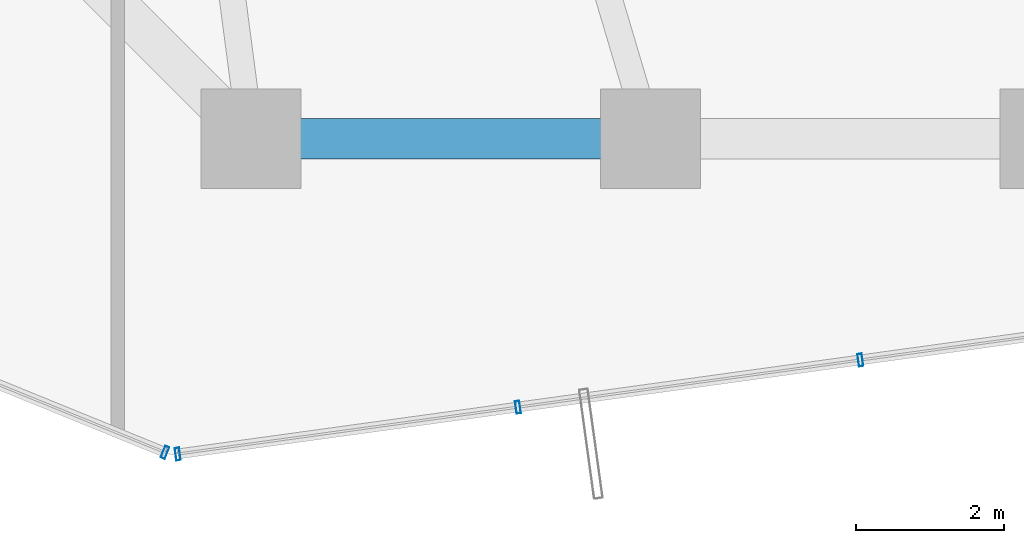
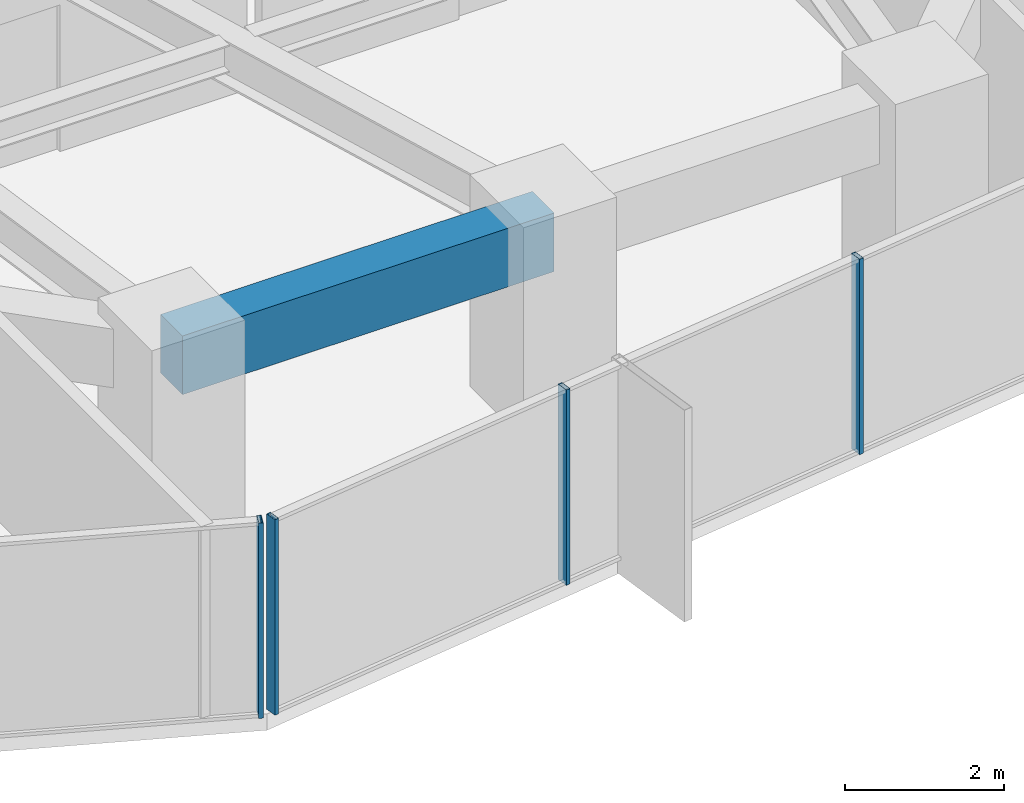
# One storey, part 6 of 37: 4 members, 1 beam, 2 elements without a shape of their own.
"""IFC4 building model written with IfcOpenShell, lengths in metres."""

import ifcopenshell
import ifcopenshell.guid

model = None  # the IFC model being written
_history = None  # IfcOwnerHistory: only IFC2X3 demands one
_inside = {}  # id of a spatial element -> (the spatial element, [elements in it])
_under = {}  # id of a project, library or spatial element -> (it, [spatial elements below it])
_declared = {}  # id of a project -> (the project, [libraries it declares])
_typed = {}  # id of a type object -> (the type object, [elements of that type])
_made_of = {}  # id of a material, layer set ... -> (it, [elements and type objects made of it])


def new_model(schema):
    """Start an empty IFC model of exactly this schema.

    Asked for "IFC4X3", IfcOpenShell would pick the latest addendum, in which some entities
    have other attributes; the version numbers below select the first issue.
    IFC2X3 requires an IfcOwnerHistory on every rooted entity: one is made here for all.
    """
    global model, _history
    if schema == "IFC4X3":
        model = ifcopenshell.file(schema_version=(4, 3, 0, 0))
    else:
        model = ifcopenshell.file(schema=schema)
    _inside.clear()
    _under.clear()
    _declared.clear()
    _typed.clear()
    _made_of.clear()
    _history = None
    if model.schema == "IFC2X3":
        org = make("IfcOrganization", Name="unknown")
        user = make(
            "IfcPersonAndOrganization",
            ThePerson=make("IfcPerson", FamilyName="unknown"),
            TheOrganization=org,
        )
        app = make(
            "IfcApplication",
            ApplicationDeveloper=org,
            Version="unknown",
            ApplicationFullName="unknown",
            ApplicationIdentifier="unknown",
        )
        _history = make(
            "IfcOwnerHistory",
            OwningUser=user,
            OwningApplication=app,
            ChangeAction="ADDED",
            CreationDate=0,
        )
    return model


def make(cls, **values):
    """One entity of the class cls with the attributes given. An attribute that is None is left unset."""
    return model.create_entity(
        cls, **{name: value for name, value in values.items() if value is not None}
    )


def rooted(cls, **values):
    """An entity with a GlobalId (a new one), such as an element, a storey or a relation."""
    return make(cls, GlobalId=ifcopenshell.guid.new(), OwnerHistory=_history, **values)


def si_unit(unit_type, name, prefix=None):
    """IfcSIUnit, for example si_unit("LENGTHUNIT", "METRE", prefix="MILLI")."""
    return make("IfcSIUnit", UnitType=unit_type, Prefix=prefix, Name=name)


def assignment(units):
    """IfcUnitAssignment: the units of a project."""
    return None if units is None else make("IfcUnitAssignment", Units=units)


def point(xyz):
    """IfcCartesianPoint."""
    return None if xyz is None else make("IfcCartesianPoint", Coordinates=xyz)


def direction(xyz):
    """IfcDirection."""
    return None if xyz is None else make("IfcDirection", DirectionRatios=xyz)


def frame(location, z_axis=None, x_axis=None):
    """IfcAxis2Placement3D, a coordinate frame: its origin and axes. An axis left out is left unset."""
    return make(
        "IfcAxis2Placement3D",
        Location=point(location),
        Axis=direction(z_axis),
        RefDirection=direction(x_axis),
    )


def frame_2d(location, x_axis=None):
    """IfcAxis2Placement2D, a coordinate frame in the plane: its origin and x axis."""
    return make(
        "IfcAxis2Placement2D", Location=point(location), RefDirection=direction(x_axis)
    )


def origin():
    """The frame at (0, 0, 0) with its axes left unset."""
    return frame((0.0, 0.0, 0.0))


def origin_2d():
    """The frame at (0, 0) in the plane with its x axis left unset."""
    return frame_2d((0.0, 0.0))


def place(relative_to, where):
    """IfcLocalPlacement: puts the frame where relative to a parent placement (None: the world)."""
    return make(
        "IfcLocalPlacement", PlacementRelTo=relative_to, RelativePlacement=where
    )


def context(
    kind, dimensions, precision=None, world=None, true_north=None, identifier=None
):
    """IfcGeometricRepresentationContext, for example the 3D "Model" context."""
    return make(
        "IfcGeometricRepresentationContext",
        ContextIdentifier=identifier,
        ContextType=kind,
        CoordinateSpaceDimension=dimensions,
        Precision=precision,
        WorldCoordinateSystem=world,
        TrueNorth=true_north,
    )


def subcontext(parent, identifier, kind, view, scale=None):
    """IfcGeometricRepresentationSubContext, for example "Body" below "Model"."""
    return make(
        "IfcGeometricRepresentationSubContext",
        ContextIdentifier=identifier,
        ContextType=kind,
        ParentContext=parent,
        TargetScale=scale,
        TargetView=view,
    )


def project(units=None, contexts=None):
    """IfcProject with its units and contexts."""
    return rooted(
        "IfcProject",
        Name="project",
        RepresentationContexts=contexts,
        UnitsInContext=assignment(units),
    )


def spatial(cls, under=None, at=None, **own):
    """A site, building, storey or space (cls), placed at a placement, below another one or the project."""
    s = rooted(cls, ObjectPlacement=at, **own)
    if under is not None:
        _under.setdefault(under.id(), (under, []))[1].append(s)
    return s


def profile(cls, at=None, kind="AREA", **sizes):
    """A parametric profile (cls). Its sizes go by their IFC names, for example OverallWidth=200.0."""
    return make(cls, ProfileType=kind, Position=at, **sizes)


def rectangle(**sizes):
    """IfcRectangleProfileDef."""
    return profile("IfcRectangleProfileDef", **sizes)


def hollow_rectangle(**sizes):
    """IfcRectangleHollowProfileDef."""
    return profile("IfcRectangleHollowProfileDef", **sizes)


def extrude(swept, where, along, depth):
    """IfcExtrudedAreaSolid: the profile swept, set in the frame where, extruded along a direction by depth."""
    return make(
        "IfcExtrudedAreaSolid",
        SweptArea=swept,
        Position=where,
        ExtrudedDirection=direction(along),
        Depth=depth,
    )


def shape(context_of_items, identifier, shape_type, items):
    """IfcShapeRepresentation: the items that make up one representation, for example the "Body"."""
    return make(
        "IfcShapeRepresentation",
        ContextOfItems=context_of_items,
        RepresentationIdentifier=identifier,
        RepresentationType=shape_type,
        Items=items,
    )


def source(mapping_origin, context_of_items, identifier, shape_type, items):
    """IfcRepresentationMap: a shape defined once, which mapped items show again and again."""
    return make(
        "IfcRepresentationMap",
        MappingOrigin=mapping_origin,
        MappedRepresentation=shape(context_of_items, identifier, shape_type, items),
    )


def transform(
    local_origin,
    x_axis=None,
    y_axis=None,
    z_axis=None,
    scale=None,
    scale2=None,
    scale3=None,
    uniform=True,
):
    """IfcCartesianTransformationOperator3D, or its non-uniform kind. x_axis, y_axis, z_axis: its Axis1, 2, 3."""
    if uniform:
        return make(
            "IfcCartesianTransformationOperator3D",
            Axis1=direction(x_axis),
            Axis2=direction(y_axis),
            LocalOrigin=point(local_origin),
            Scale=scale,
            Axis3=direction(z_axis),
        )
    return make(
        "IfcCartesianTransformationOperator3DnonUniform",
        Axis1=direction(x_axis),
        Axis2=direction(y_axis),
        LocalOrigin=point(local_origin),
        Scale=scale,
        Axis3=direction(z_axis),
        Scale2=scale2,
        Scale3=scale3,
    )


def mapped(mapping_source, mapping_target):
    """IfcMappedItem: shows the shape of a source again, moved by a transform."""
    return make(
        "IfcMappedItem", MappingSource=mapping_source, MappingTarget=mapping_target
    )


def material(Name=None, Category=None):
    """IfcMaterial."""
    return make("IfcMaterial", Name=Name, Category=Category)


def layer(
    of_material, thickness, ventilated=None, Name=None, Category=None, Priority=None
):
    """IfcMaterialLayer: one layer of a wall or slab, of a material (None: an air gap)."""
    return make(
        "IfcMaterialLayer",
        Material=of_material,
        LayerThickness=thickness,
        IsVentilated=ventilated,
        Name=Name,
        Category=Category,
        Priority=Priority,
    )


def layer_set(layers, Name=None):
    """IfcMaterialLayerSet."""
    return make("IfcMaterialLayerSet", MaterialLayers=layers, LayerSetName=Name)


def material_profile(
    of_material, cross_section, Name=None, Category=None, Priority=None
):
    """IfcMaterialProfile: a cross section and its material."""
    return make(
        "IfcMaterialProfile",
        Name=Name,
        Material=of_material,
        Profile=cross_section,
        Priority=Priority,
        Category=Category,
    )


def profile_set(profiles, Name=None, composite=None):
    """IfcMaterialProfileSet."""
    return make(
        "IfcMaterialProfileSet",
        Name=Name,
        MaterialProfiles=profiles,
        CompositeProfile=composite,
    )


def made_of(thing, what):
    """Note that an element or type object is made of a material, layer set ...; save() writes the relation."""
    if what is not None:
        _made_of.setdefault(what.id(), (what, []))[1].append(thing)
    return thing


def type_object(cls, material=None, **own):
    """A type object (cls), such as IfcWallType, which elements share."""
    return made_of(rooted(cls, **own), material)


def element(
    cls,
    number,
    at=None,
    inside=None,
    cuts=None,
    type_object=None,
    material=None,
    context=None,
    identifier="Body",
    shape_type=None,
    held_by="IfcProductDefinitionShape",
    body=None,
    shapes=None,
    **own,
):
    """One element of the class cls, such as IfcWall. Its Tag is "e" and its number.

    at: its placement. inside: the storey or other place that contains it. cuts: it is an
    opening in that element (IfcRelVoidsElement). A single representation is given by context,
    identifier, shape_type and body (its items); several are given by shapes. held_by: the class
    of the entity that holds the representations. save() writes the other relations.
    """
    e = rooted(cls, Tag="e%d" % number, ObjectPlacement=at, **own)
    if body is not None:
        shapes = [shape(context, identifier, shape_type, body)]
    if shapes is not None:
        e.Representation = make(held_by, Representations=shapes)
    if inside is not None:
        _inside.setdefault(inside.id(), (inside, []))[1].append(e)
    if cuts is not None:
        rooted(
            "IfcRelVoidsElement", RelatingBuildingElement=cuts, RelatedOpeningElement=e
        )
    if type_object is not None:
        _typed.setdefault(type_object.id(), (type_object, []))[1].append(e)
    return made_of(e, material)


def aggregate(whole, parts):
    """IfcRelAggregates: a whole, such as a stair, and the parts it consists of."""
    return rooted("IfcRelAggregates", RelatingObject=whole, RelatedObjects=parts)


def save(model, path):
    """Write the relations noted so far, then the file.

    IfcRelAggregates (storeys below a building ...), IfcRelContainedInSpatialStructure (elements
    in a storey), IfcRelDefinesByType, IfcRelAssociatesMaterial and IfcRelDeclares: one each for
    every whole, place, type object, material and project.
    """
    for whole, parts in _under.values():
        aggregate(whole, parts)
    for where, things in _inside.values():
        rooted(
            "IfcRelContainedInSpatialStructure",
            RelatedElements=things,
            RelatingStructure=where,
        )
    for kind, things in _typed.values():
        rooted("IfcRelDefinesByType", RelatedObjects=things, RelatingType=kind)
    for what, things in _made_of.values():
        rooted("IfcRelAssociatesMaterial", RelatedObjects=things, RelatingMaterial=what)
    for by, libraries in _declared.values():
        rooted("IfcRelDeclares", RelatingContext=by, RelatedDefinitions=libraries)
    model.write(path)


model = new_model("IFC4")

# Units and contexts
model_context = context("Model", 3, precision=1e-05, world=origin(), true_north=direction((0.0, 1.0)))
body_context = subcontext(model_context, "Body", "Model", "MODEL_VIEW")
ifc_project = project(units=[si_unit("LENGTHUNIT", "METRE"), si_unit("AREAUNIT", "SQUARE_METRE"), si_unit("VOLUMEUNIT", "CUBIC_METRE"), si_unit("PLANEANGLEUNIT", "RADIAN"), si_unit("MASSUNIT", "GRAM", prefix="KILO")], contexts=[model_context])

# Site, building, storey
site_placement = place(None, origin())
site = spatial("IfcSite", under=ifc_project, at=site_placement, CompositionType="ELEMENT")
building_placement = place(site_placement, origin())
building = spatial("IfcBuilding", under=site, at=building_placement, Name="Veraguas Prism Commons", CompositionType="ELEMENT")
storey_placement = place(building_placement, frame((0.0, 0.0, 50.050048828125)))
storey = spatial("IfcBuildingStorey", under=building, at=storey_placement, Name="L13", CompositionType="ELEMENT", Elevation=50.050048828125)

# Beam
ifc_material_1 = material(Name="Concrete C50/60", Category="concrete")
ifc_material_profile_1 = material_profile(ifc_material_1, rectangle(XDim=0.550048828125, YDim=0.89990234375, at=origin_2d()), Name="RC550X900")
ifc_profile_set_1 = profile_set([ifc_material_profile_1], Name="Concrete C50/60")
beam_type = type_object("IfcBeamType", Name="Perimeter Spandrel Lower RC 550x900", PredefinedType="SPANDREL", material=ifc_profile_set_1)
beam_placement = place(storey_placement, frame((18.60009765625, 6.39990234375, 2.550048828125), z_axis=(1.0, 0.0, 0.0), x_axis=(0.0, 1.0, 0.0)))
element("IfcBeam", 1, at=beam_placement, inside=storey, type_object=beam_type, Name="Perimeter Spandrel Beam L13-SP10", PredefinedType="SPANDREL", context=body_context, shape_type="SweptSolid", body=[
    extrude(rectangle(XDim=0.550048828125, YDim=0.89990234375, at=origin_2d()), origin(), (0.0, 0.0, 1.0), 5.39990234375),
])

# Curtain wall, members
ifc_material_2 = material(Name="Anodised aluminium EN AW-6063 T6", Category="aluminium")
ifc_layer = layer(ifc_material_2, 0.169921875, Name="Unitised Flush Curtain Wall Zone 1", Category="aluminium")
ifc_layer_set = layer_set([ifc_layer], Name="Anodised aluminium EN AW-6063 T6")
curtain_wall_type = type_object("IfcCurtainWallType", Name="Unitised Flush Curtain Wall Zone 1", PredefinedType="NOTDEFINED", material=ifc_layer_set)
curtain_wall_1_placement = place(storey_placement, origin())
curtain_wall_1 = element("IfcCurtainWall", 2, at=curtain_wall_1_placement, inside=storey, type_object=curtain_wall_type, Name="Tower Facade Curtain Wall L13-F5", PredefinedType="NOTDEFINED")
ifc_material_profile_2 = material_profile(ifc_material_2, hollow_rectangle(XDim=0.06005859375, YDim=0.169921875, WallThickness=0.00390625, at=origin_2d()), Name="AL60X170X4")
ifc_profile_set_2 = profile_set([ifc_material_profile_2], Name="Anodised aluminium EN AW-6063 T6")
member_type = type_object("IfcMemberType", Name="Curtain Wall Mullion Lower AL 60x170x4", PredefinedType="MULLION", material=ifc_profile_set_2)
shared_shape = source(origin(), body_context, "Body", "SweptSolid", [
    extrude(hollow_rectangle(XDim=0.06005859375, YDim=0.169921875, WallThickness=0.00390625, at=origin_2d()), origin(), (0.0, 0.0, 1.0), 3.0),
])
member_1_placement = place(storey_placement, frame((17.610107421875, 2.139404296875, 0.0), z_axis=(0.0, 0.0, 1.0), x_axis=(0.99065308977, 0.136405482764, 0.0)))
member_1 = element("IfcMember", 3, at=member_1_placement, type_object=member_type, Name="CW-Z1 Mullion 1", PredefinedType="MULLION", context=body_context, shape_type="MappedRepresentation", body=[
    mapped(shared_shape, transform((0.0, 0.0, 0.0), scale=1.0)),
])
member_2_placement = place(storey_placement, frame((22.207763671875, 2.7724609375, 0.0), z_axis=(0.0, 0.0, 1.0), x_axis=(0.99065308977, 0.136405482764, 0.0)))
member_2 = element("IfcMember", 4, at=member_2_placement, type_object=member_type, Name="CW-Z1 Mullion 2", PredefinedType="MULLION", context=body_context, shape_type="MappedRepresentation", body=[
    mapped(shared_shape, transform((0.0, 0.0, 0.0), scale=1.0)),
])
member_3_placement = place(storey_placement, frame((26.835205078125, 3.40966796875, 0.0), z_axis=(0.0, 0.0, 1.0), x_axis=(0.99065308977, 0.136405482764, 0.0)))
member_3 = element("IfcMember", 5, at=member_3_placement, type_object=member_type, Name="CW-Z1 Mullion 3", PredefinedType="MULLION", context=body_context, shape_type="MappedRepresentation", body=[
    mapped(shared_shape, transform((0.0, 0.0, 0.0), scale=1.0)),
])
aggregate(curtain_wall_1, [member_1, member_2, member_3])

# Curtain wall, member
curtain_wall_2_placement = place(storey_placement, origin())
curtain_wall_2 = element("IfcCurtainWall", 6, at=curtain_wall_2_placement, inside=storey, type_object=curtain_wall_type, Name="Chamfer Curtain Wall L13-C5", PredefinedType="NOTDEFINED")
member_4_placement = place(storey_placement, frame((17.437744140625, 2.1611328125, 0.0), z_axis=(0.0, 0.0, 1.0), x_axis=(0.926124924918, -0.377216944801, 0.0)))
member_4 = element("IfcMember", 7, at=member_4_placement, type_object=member_type, Name="CW-Z1 Mullion 2", PredefinedType="MULLION", context=body_context, shape_type="MappedRepresentation", body=[
    mapped(shared_shape, transform((0.0, 0.0, 0.0), scale=1.0)),
])
aggregate(curtain_wall_2, [member_4])

save(model, "model.ifc")
